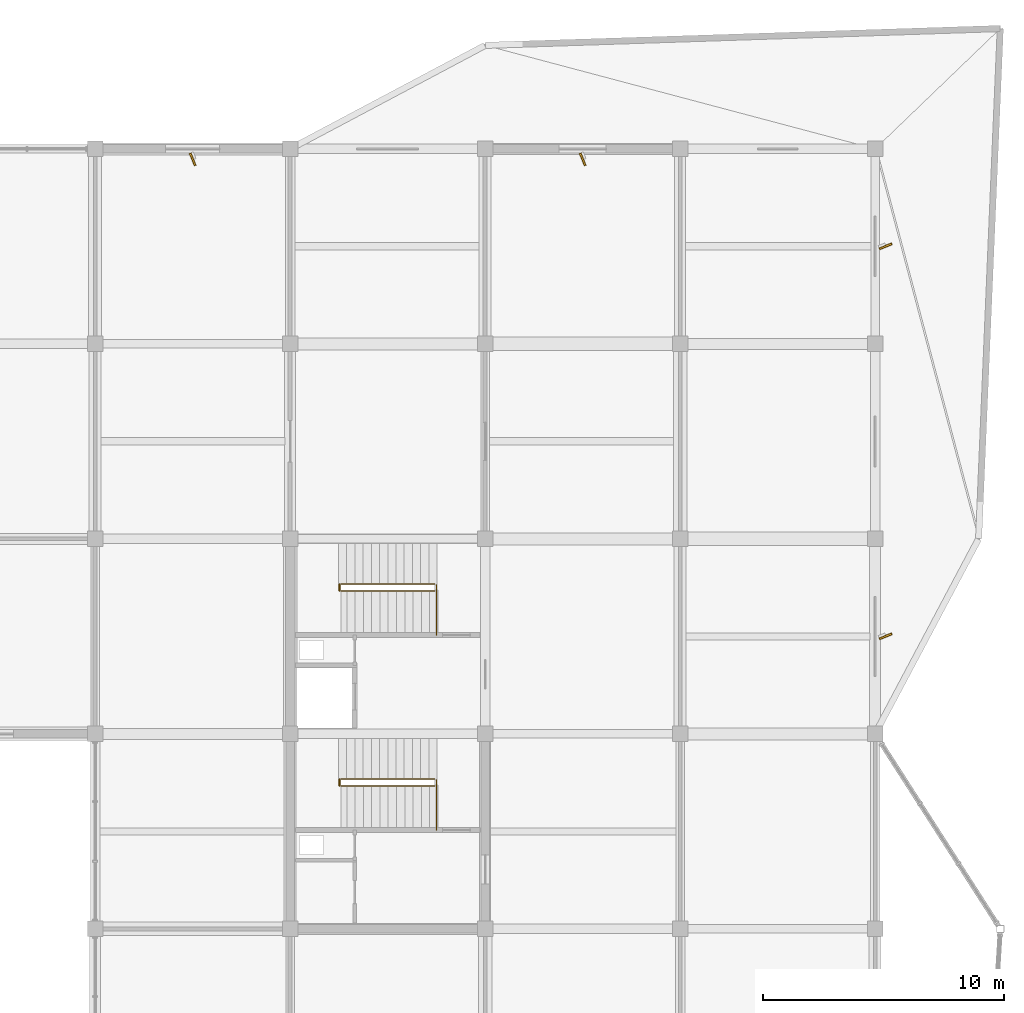
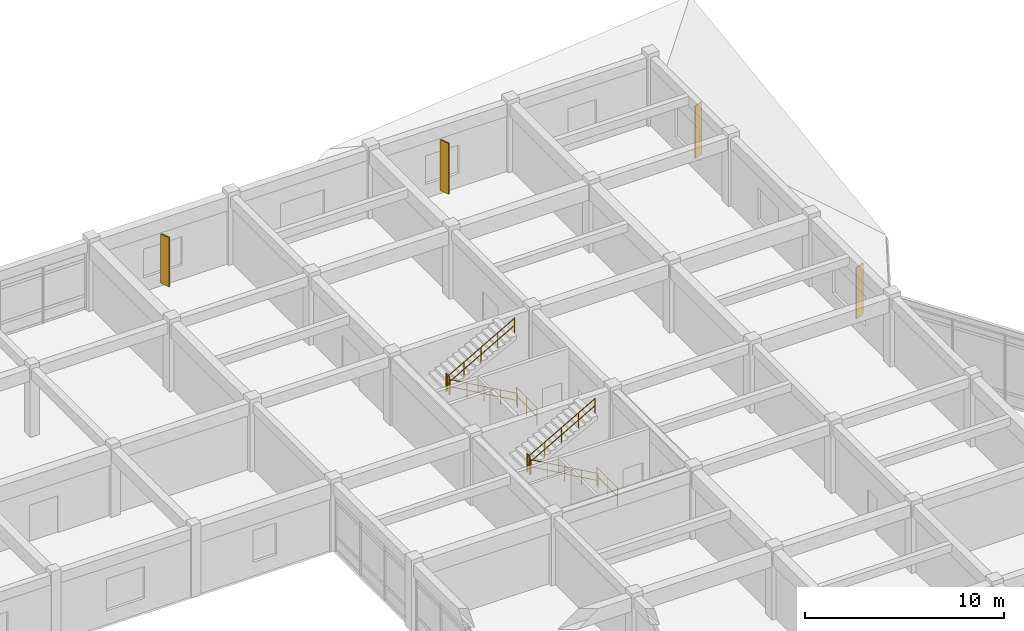
# One storey, part 40 of 40: 8 railings, 4 shading devices.
"""IFC4 building model written with IfcOpenShell, lengths in metres."""

import ifcopenshell
import ifcopenshell.guid

model = None  # the IFC model being written
_history = None  # IfcOwnerHistory: only IFC2X3 demands one
_inside = {}  # id of a spatial element -> (the spatial element, [elements in it])
_under = {}  # id of a project, library or spatial element -> (it, [spatial elements below it])
_declared = {}  # id of a project -> (the project, [libraries it declares])
_typed = {}  # id of a type object -> (the type object, [elements of that type])
_made_of = {}  # id of a material, layer set ... -> (it, [elements and type objects made of it])


def new_model(schema):
    """Start an empty IFC model of exactly this schema.

    Asked for "IFC4X3", IfcOpenShell would pick the latest addendum, in which some entities
    have other attributes; the version numbers below select the first issue.
    IFC2X3 requires an IfcOwnerHistory on every rooted entity: one is made here for all.
    """
    global model, _history
    if schema == "IFC4X3":
        model = ifcopenshell.file(schema_version=(4, 3, 0, 0))
    else:
        model = ifcopenshell.file(schema=schema)
    _inside.clear()
    _under.clear()
    _declared.clear()
    _typed.clear()
    _made_of.clear()
    _history = None
    if model.schema == "IFC2X3":
        org = make("IfcOrganization", Name="unknown")
        user = make(
            "IfcPersonAndOrganization",
            ThePerson=make("IfcPerson", FamilyName="unknown"),
            TheOrganization=org,
        )
        app = make(
            "IfcApplication",
            ApplicationDeveloper=org,
            Version="unknown",
            ApplicationFullName="unknown",
            ApplicationIdentifier="unknown",
        )
        _history = make(
            "IfcOwnerHistory",
            OwningUser=user,
            OwningApplication=app,
            ChangeAction="ADDED",
            CreationDate=0,
        )
    return model


def make(cls, **values):
    """One entity of the class cls with the attributes given. An attribute that is None is left unset."""
    return model.create_entity(
        cls, **{name: value for name, value in values.items() if value is not None}
    )


def rooted(cls, **values):
    """An entity with a GlobalId (a new one), such as an element, a storey or a relation."""
    return make(cls, GlobalId=ifcopenshell.guid.new(), OwnerHistory=_history, **values)


def si_unit(unit_type, name, prefix=None):
    """IfcSIUnit, for example si_unit("LENGTHUNIT", "METRE", prefix="MILLI")."""
    return make("IfcSIUnit", UnitType=unit_type, Prefix=prefix, Name=name)


def assignment(units):
    """IfcUnitAssignment: the units of a project."""
    return None if units is None else make("IfcUnitAssignment", Units=units)


def point(xyz):
    """IfcCartesianPoint."""
    return None if xyz is None else make("IfcCartesianPoint", Coordinates=xyz)


def direction(xyz):
    """IfcDirection."""
    return None if xyz is None else make("IfcDirection", DirectionRatios=xyz)


def frame(location, z_axis=None, x_axis=None):
    """IfcAxis2Placement3D, a coordinate frame: its origin and axes. An axis left out is left unset."""
    return make(
        "IfcAxis2Placement3D",
        Location=point(location),
        Axis=direction(z_axis),
        RefDirection=direction(x_axis),
    )


def frame_2d(location, x_axis=None):
    """IfcAxis2Placement2D, a coordinate frame in the plane: its origin and x axis."""
    return make(
        "IfcAxis2Placement2D", Location=point(location), RefDirection=direction(x_axis)
    )


def origin():
    """The frame at (0, 0, 0) with its axes left unset."""
    return frame((0.0, 0.0, 0.0))


def origin_2d():
    """The frame at (0, 0) in the plane with its x axis left unset."""
    return frame_2d((0.0, 0.0))


def place(relative_to, where):
    """IfcLocalPlacement: puts the frame where relative to a parent placement (None: the world)."""
    return make(
        "IfcLocalPlacement", PlacementRelTo=relative_to, RelativePlacement=where
    )


def context(
    kind, dimensions, precision=None, world=None, true_north=None, identifier=None
):
    """IfcGeometricRepresentationContext, for example the 3D "Model" context."""
    return make(
        "IfcGeometricRepresentationContext",
        ContextIdentifier=identifier,
        ContextType=kind,
        CoordinateSpaceDimension=dimensions,
        Precision=precision,
        WorldCoordinateSystem=world,
        TrueNorth=true_north,
    )


def subcontext(parent, identifier, kind, view, scale=None):
    """IfcGeometricRepresentationSubContext, for example "Body" below "Model"."""
    return make(
        "IfcGeometricRepresentationSubContext",
        ContextIdentifier=identifier,
        ContextType=kind,
        ParentContext=parent,
        TargetScale=scale,
        TargetView=view,
    )


def project(units=None, contexts=None):
    """IfcProject with its units and contexts."""
    return rooted(
        "IfcProject",
        Name="project",
        RepresentationContexts=contexts,
        UnitsInContext=assignment(units),
    )


def spatial(cls, under=None, at=None, **own):
    """A site, building, storey or space (cls), placed at a placement, below another one or the project."""
    s = rooted(cls, ObjectPlacement=at, **own)
    if under is not None:
        _under.setdefault(under.id(), (under, []))[1].append(s)
    return s


def profile(cls, at=None, kind="AREA", **sizes):
    """A parametric profile (cls). Its sizes go by their IFC names, for example OverallWidth=200.0."""
    return make(cls, ProfileType=kind, Position=at, **sizes)


def rectangle(**sizes):
    """IfcRectangleProfileDef."""
    return profile("IfcRectangleProfileDef", **sizes)


def circle(**sizes):
    """IfcCircleProfileDef."""
    return profile("IfcCircleProfileDef", **sizes)


def extrude(swept, where, along, depth):
    """IfcExtrudedAreaSolid: the profile swept, set in the frame where, extruded along a direction by depth."""
    return make(
        "IfcExtrudedAreaSolid",
        SweptArea=swept,
        Position=where,
        ExtrudedDirection=direction(along),
        Depth=depth,
    )


def shape(context_of_items, identifier, shape_type, items):
    """IfcShapeRepresentation: the items that make up one representation, for example the "Body"."""
    return make(
        "IfcShapeRepresentation",
        ContextOfItems=context_of_items,
        RepresentationIdentifier=identifier,
        RepresentationType=shape_type,
        Items=items,
    )


def material(Name=None, Category=None):
    """IfcMaterial."""
    return make("IfcMaterial", Name=Name, Category=Category)


def made_of(thing, what):
    """Note that an element or type object is made of a material, layer set ...; save() writes the relation."""
    if what is not None:
        _made_of.setdefault(what.id(), (what, []))[1].append(thing)
    return thing


def type_object(cls, material=None, **own):
    """A type object (cls), such as IfcWallType, which elements share."""
    return made_of(rooted(cls, **own), material)


def element(
    cls,
    number,
    at=None,
    inside=None,
    cuts=None,
    type_object=None,
    material=None,
    context=None,
    identifier="Body",
    shape_type=None,
    held_by="IfcProductDefinitionShape",
    body=None,
    shapes=None,
    **own,
):
    """One element of the class cls, such as IfcWall. Its Tag is "e" and its number.

    at: its placement. inside: the storey or other place that contains it. cuts: it is an
    opening in that element (IfcRelVoidsElement). A single representation is given by context,
    identifier, shape_type and body (its items); several are given by shapes. held_by: the class
    of the entity that holds the representations. save() writes the other relations.
    """
    e = rooted(cls, Tag="e%d" % number, ObjectPlacement=at, **own)
    if body is not None:
        shapes = [shape(context, identifier, shape_type, body)]
    if shapes is not None:
        e.Representation = make(held_by, Representations=shapes)
    if inside is not None:
        _inside.setdefault(inside.id(), (inside, []))[1].append(e)
    if cuts is not None:
        rooted(
            "IfcRelVoidsElement", RelatingBuildingElement=cuts, RelatedOpeningElement=e
        )
    if type_object is not None:
        _typed.setdefault(type_object.id(), (type_object, []))[1].append(e)
    return made_of(e, material)


def aggregate(whole, parts):
    """IfcRelAggregates: a whole, such as a stair, and the parts it consists of."""
    return rooted("IfcRelAggregates", RelatingObject=whole, RelatedObjects=parts)


def save(model, path):
    """Write the relations noted so far, then the file.

    IfcRelAggregates (storeys below a building ...), IfcRelContainedInSpatialStructure (elements
    in a storey), IfcRelDefinesByType, IfcRelAssociatesMaterial and IfcRelDeclares: one each for
    every whole, place, type object, material and project.
    """
    for whole, parts in _under.values():
        aggregate(whole, parts)
    for where, things in _inside.values():
        rooted(
            "IfcRelContainedInSpatialStructure",
            RelatedElements=things,
            RelatingStructure=where,
        )
    for kind, things in _typed.values():
        rooted("IfcRelDefinesByType", RelatedObjects=things, RelatingType=kind)
    for what, things in _made_of.values():
        rooted("IfcRelAssociatesMaterial", RelatedObjects=things, RelatingMaterial=what)
    for by, libraries in _declared.values():
        rooted("IfcRelDeclares", RelatingContext=by, RelatedDefinitions=libraries)
    model.write(path)


model = new_model("IFC4")

# Units and contexts
model_context = context("Model", 3, precision=1e-05, world=origin(), true_north=direction((0.0, 1.0)))
body_context = subcontext(model_context, "Body", "Model", "MODEL_VIEW")
ifc_project = project(units=[si_unit("LENGTHUNIT", "METRE"), si_unit("AREAUNIT", "SQUARE_METRE"), si_unit("VOLUMEUNIT", "CUBIC_METRE"), si_unit("PLANEANGLEUNIT", "RADIAN"), si_unit("MASSUNIT", "GRAM", prefix="KILO")], contexts=[model_context])

# Site, building, storey
site_placement = place(None, origin())
site = spatial("IfcSite", under=ifc_project, at=site_placement, CompositionType="ELEMENT")
building_placement = place(site_placement, origin())
building = spatial("IfcBuilding", under=site, at=building_placement, Name="Vaudrelin Polytechnic", CompositionType="ELEMENT")
storey_placement = place(building_placement, frame((0.0, 0.0, 22.949951171875)))
storey = spatial("IfcBuildingStorey", under=building, at=storey_placement, Name="L05", CompositionType="ELEMENT", Elevation=22.949951171875)

# Shading devices
ifc_material_1 = material(Name="Anodised perforated aluminium AA 5005", Category="aluminium")
shading_device_type = type_object("IfcShadingDeviceType", Name="ENV-SF-FIN1", PredefinedType="USERDEFINED", material=ifc_material_1)
shading_device_1_placement = place(storey_placement, frame((141.75, 121.06494140625, 0.2001953125), z_axis=(0.0, 0.0, 1.0), x_axis=(0.374606593416, -0.927183854567, 0.0)))
element("IfcShadingDevice", 1, at=shading_device_1_placement, inside=storey, type_object=shading_device_type, Name="Perforated solar fin SF-040", ObjectType="SOLAR FIN", PredefinedType="USERDEFINED", context=body_context, shape_type="SweptSolid", body=[
    extrude(rectangle(XDim=0.550048828125, YDim=0.080078125, at=origin_2d()), origin(), (0.0, 0.0, 1.0), 3.011962890625),
])
for number, where, z_axis, x_axis, name in (
    (2, (157.949951171875, 121.06494140625, 0.2001953125), (0.0, 0.0, 1.0), (0.374606593416, -0.927183854567, 0.0), "Perforated solar fin SF-041"),
    (3, (170.534912109375, 101.25, 0.2001953125), (0.0, 0.0, 1.0), (0.927183854567, 0.374606593416, 0.0), "Perforated solar fin SF-045"),
):
    element("IfcShadingDevice", number, at=place(storey_placement, frame(where, z_axis=z_axis, x_axis=x_axis)), inside=storey, type_object=shading_device_type, Name=name, ObjectType="SOLAR FIN", PredefinedType="USERDEFINED", context=body_context, shape_type="SweptSolid", body=[
        extrude(rectangle(XDim=0.550048828125, YDim=0.080078125, at=origin_2d()), origin(), (0.0, 0.0, 1.0), 3.112060546875),
    ])
shading_device_2_placement = place(storey_placement, frame((170.534912109375, 117.449951171875, 0.2001953125), z_axis=(0.0, 0.0, 1.0), x_axis=(0.927183854567, 0.374606593416, 0.0)))
element("IfcShadingDevice", 4, at=shading_device_2_placement, inside=storey, type_object=shading_device_type, Name="Perforated solar fin SF-046", ObjectType="SOLAR FIN", PredefinedType="USERDEFINED", context=body_context, shape_type="SweptSolid", body=[
    extrude(rectangle(XDim=0.550048828125, YDim=0.080078125, at=origin_2d()), origin(), (0.0, 0.0, 1.0), 3.199951171875),
])

# Railings
ifc_material_2 = material(Name="Brushed stainless steel AISI 304", Category="steel")
railing_type_1 = type_object("IfcRailingType", Name="RAL-GR-INT", PredefinedType="GUARDRAIL", material=ifc_material_2)
railing_1_placement = place(storey_placement, frame((151.8798828125, 101.31005859375, 0.0)))
element("IfcRailing", 5, at=railing_1_placement, inside=storey, type_object=railing_type_1, Name="ST-06-L04 upper well guardrail", PredefinedType="GUARDRAIL", context=body_context, shape_type="SweptSolid", body=[
    extrude(circle(Radius=0.02392578125, at=origin_2d()), frame((0.0, 0.023193359375, 1.09619140625), z_axis=(0.0, 1.0, 0.0), x_axis=(-1.0, 0.0, 0.0)), (0.0, 0.0, 1.0), 2.023681640625),
    extrude(circle(Radius=0.02392578125, at=origin_2d()), frame((0.0, 0.023193359375, 0.56005859375), z_axis=(0.0, 1.0, 0.0), x_axis=(-1.0, 0.0, 0.0)), (0.0, 0.0, 1.0), 2.023681640625),
    extrude(circle(Radius=0.02099609375, at=origin_2d()), origin(), (0.0, 0.0, 1.0), 1.1201171875),
    extrude(circle(Radius=0.02099609375, at=origin_2d()), frame((0.0, 1.034912109375, 0.0)), (0.0, 0.0, 1.0), 1.1201171875),
    extrude(circle(Radius=0.02099609375, at=origin_2d()), frame((0.0, 2.06982421875, 0.0)), (0.0, 0.0, 1.0), 1.1201171875),
])
railing_2_placement = place(storey_placement, frame((147.85009765625, 103.139892578125, 2.2099609375)))
element("IfcRailing", 6, at=railing_2_placement, inside=storey, type_object=railing_type_1, Name="ST-06-L05 landing well guardrail", PredefinedType="GUARDRAIL", context=body_context, shape_type="SweptSolid", body=[
    extrude(circle(Radius=0.02392578125, at=origin_2d()), frame((0.0, 0.023193359375, 1.09619140625), z_axis=(0.0, 1.0, 0.0), x_axis=(-1.0, 0.0, 0.0)), (0.0, 0.0, 1.0), 0.23388671875),
    extrude(circle(Radius=0.02392578125, at=origin_2d()), frame((0.0, 0.023193359375, 0.56005859375), z_axis=(0.0, 1.0, 0.0), x_axis=(-1.0, 0.0, 0.0)), (0.0, 0.0, 1.0), 0.23388671875),
    extrude(circle(Radius=0.02099609375, at=origin_2d()), origin(), (0.0, 0.0, 1.0), 1.1201171875),
    extrude(circle(Radius=0.02099609375, at=origin_2d()), frame((0.0, 0.280029296875, 0.0)), (0.0, 0.0, 1.0), 1.1201171875),
])
railing_3_placement = place(storey_placement, frame((151.8798828125, 93.2099609375, 0.0)))
element("IfcRailing", 7, at=railing_3_placement, inside=storey, type_object=railing_type_1, Name="ST-13-L04 upper well guardrail", PredefinedType="GUARDRAIL", context=body_context, shape_type="SweptSolid", body=[
    extrude(circle(Radius=0.02392578125, at=origin_2d()), frame((0.0, 0.023193359375, 1.09619140625), z_axis=(0.0, 1.0, 0.0), x_axis=(-1.0, 0.0, 0.0)), (0.0, 0.0, 1.0), 2.02392578125),
    extrude(circle(Radius=0.02392578125, at=origin_2d()), frame((0.0, 0.023193359375, 0.56005859375), z_axis=(0.0, 1.0, 0.0), x_axis=(-1.0, 0.0, 0.0)), (0.0, 0.0, 1.0), 2.02392578125),
    extrude(circle(Radius=0.02099609375, at=origin_2d()), origin(), (0.0, 0.0, 1.0), 1.1201171875),
    extrude(circle(Radius=0.02099609375, at=origin_2d()), frame((0.0, 1.03515625, 0.0)), (0.0, 0.0, 1.0), 1.1201171875),
    extrude(circle(Radius=0.02099609375, at=origin_2d()), frame((0.0, 2.070068359375, 0.0)), (0.0, 0.0, 1.0), 1.1201171875),
])
railing_4_placement = place(storey_placement, frame((147.85009765625, 95.0400390625, 2.2099609375)))
element("IfcRailing", 8, at=railing_4_placement, inside=storey, type_object=railing_type_1, Name="ST-13-L05 landing well guardrail", PredefinedType="GUARDRAIL", context=body_context, shape_type="SweptSolid", body=[
    extrude(circle(Radius=0.02392578125, at=origin_2d()), frame((0.0, 0.023193359375, 1.09619140625), z_axis=(0.0, 1.0, 0.0), x_axis=(-1.0, 0.0, 0.0)), (0.0, 0.0, 1.0), 0.23388671875),
    extrude(circle(Radius=0.02392578125, at=origin_2d()), frame((0.0, 0.023193359375, 0.56005859375), z_axis=(0.0, 1.0, 0.0), x_axis=(-1.0, 0.0, 0.0)), (0.0, 0.0, 1.0), 0.23388671875),
    extrude(circle(Radius=0.02099609375, at=origin_2d()), origin(), (0.0, 0.0, 1.0), 1.1201171875),
    extrude(circle(Radius=0.02099609375, at=origin_2d()), frame((0.0, 0.280029296875, 0.0)), (0.0, 0.0, 1.0), 1.1201171875),
])
railing_type_2 = type_object("IfcRailingType", Name="RAL-HR-STR", PredefinedType="HANDRAIL", material=ifc_material_2)
railing_5_placement = place(storey_placement, frame((151.800048828125, 103.1298828125, 0.0)))
element("IfcRailing", 9, at=railing_5_placement, inside=storey, type_object=railing_type_2, Name="ST-06-L05 flight 1 handrail", PredefinedType="HANDRAIL", context=body_context, shape_type="SweptSolid", body=[
    extrude(circle(Radius=0.02392578125, at=origin_2d()), frame((-0.02001953125, 0.0, 0.9072265625), z_axis=(-0.869489581884, 0.0, 0.493951279981), x_axis=(0.0, -1.0, 0.0)), (0.0, 0.0, 1.0), 4.427734375),
    extrude(circle(Radius=0.02392578125, at=origin_2d()), frame((-0.02001953125, 0.0, 0.471435546875), z_axis=(-0.869489581884, 0.0, 0.493951279981), x_axis=(0.0, -1.0, 0.0)), (0.0, 0.0, 1.0), 4.427734375),
    extrude(circle(Radius=0.02099609375, at=origin_2d()), origin(), (0.0, 0.0, 1.0), 0.919921875),
    extrude(circle(Radius=0.02099609375, at=origin_2d()), frame((-0.97265625, 0.0, 0.552490234375)), (0.0, 0.0, 1.0), 0.919921875),
    extrude(circle(Radius=0.02099609375, at=origin_2d()), frame((-1.945068359375, 0.0, 1.10498046875)), (0.0, 0.0, 1.0), 0.919921875),
    extrude(circle(Radius=0.02099609375, at=origin_2d()), frame((-2.91748046875, 0.0, 1.657470703125)), (0.0, 0.0, 1.0), 0.919921875),
    extrude(circle(Radius=0.02099609375, at=origin_2d()), frame((-3.89013671875, 0.0, 2.2099609375)), (0.0, 0.0, 1.0), 0.919921875),
])
railing_6_placement = place(storey_placement, frame((147.909912109375, 103.429931640625, 2.2099609375)))
element("IfcRailing", 10, at=railing_6_placement, inside=storey, type_object=railing_type_2, Name="ST-06-L05 flight 2 handrail", PredefinedType="HANDRAIL", context=body_context, shape_type="SweptSolid", body=[
    extrude(circle(Radius=0.02392578125, at=origin_2d()), frame((0.02001953125, 0.0, 0.9072265625), z_axis=(0.86946614529, 0.0, 0.493992532529), x_axis=(0.0, 1.0, 0.0)), (0.0, 0.0, 1.0), 4.427978515625),
    extrude(circle(Radius=0.02392578125, at=origin_2d()), frame((0.02001953125, 0.0, 0.471435546875), z_axis=(0.86946614529, 0.0, 0.493992532529), x_axis=(0.0, 1.0, 0.0)), (0.0, 0.0, 1.0), 4.427978515625),
    extrude(circle(Radius=0.02099609375, at=origin_2d()), origin(), (0.0, 0.0, 1.0), 0.919921875),
    extrude(circle(Radius=0.02099609375, at=origin_2d()), frame((0.97265625, 0.0, 0.552490234375)), (0.0, 0.0, 1.0), 0.919921875),
    extrude(circle(Radius=0.02099609375, at=origin_2d()), frame((1.945068359375, 0.0, 1.10498046875)), (0.0, 0.0, 1.0), 0.919921875),
    extrude(circle(Radius=0.02099609375, at=origin_2d()), frame((2.91748046875, 0.0, 1.65771484375)), (0.0, 0.0, 1.0), 0.919921875),
    extrude(circle(Radius=0.02099609375, at=origin_2d()), frame((3.89013671875, 0.0, 2.210205078125)), (0.0, 0.0, 1.0), 0.919921875),
])
railing_7_placement = place(storey_placement, frame((151.800048828125, 95.030029296875, 0.0)))
element("IfcRailing", 11, at=railing_7_placement, inside=storey, type_object=railing_type_2, Name="ST-13-L05 flight 1 handrail", PredefinedType="HANDRAIL", context=body_context, shape_type="SweptSolid", body=[
    extrude(circle(Radius=0.02392578125, at=origin_2d()), frame((-0.02001953125, 0.0, 0.9072265625), z_axis=(-0.869489581884, 0.0, 0.493951279981), x_axis=(0.0, -1.0, 0.0)), (0.0, 0.0, 1.0), 4.427734375),
    extrude(circle(Radius=0.02392578125, at=origin_2d()), frame((-0.02001953125, 0.0, 0.471435546875), z_axis=(-0.869489581884, 0.0, 0.493951279981), x_axis=(0.0, -1.0, 0.0)), (0.0, 0.0, 1.0), 4.427734375),
    extrude(circle(Radius=0.02099609375, at=origin_2d()), origin(), (0.0, 0.0, 1.0), 0.919921875),
    extrude(circle(Radius=0.02099609375, at=origin_2d()), frame((-0.97265625, 0.0, 0.552490234375)), (0.0, 0.0, 1.0), 0.919921875),
    extrude(circle(Radius=0.02099609375, at=origin_2d()), frame((-1.945068359375, 0.0, 1.10498046875)), (0.0, 0.0, 1.0), 0.919921875),
    extrude(circle(Radius=0.02099609375, at=origin_2d()), frame((-2.91748046875, 0.0, 1.657470703125)), (0.0, 0.0, 1.0), 0.919921875),
    extrude(circle(Radius=0.02099609375, at=origin_2d()), frame((-3.89013671875, 0.0, 2.2099609375)), (0.0, 0.0, 1.0), 0.919921875),
])
railing_8_placement = place(storey_placement, frame((147.909912109375, 95.330078125, 2.2099609375)))
element("IfcRailing", 12, at=railing_8_placement, inside=storey, type_object=railing_type_2, Name="ST-13-L05 flight 2 handrail", PredefinedType="HANDRAIL", context=body_context, shape_type="SweptSolid", body=[
    extrude(circle(Radius=0.02392578125, at=origin_2d()), frame((0.02001953125, 0.0, 0.9072265625), z_axis=(0.86946614529, 0.0, 0.493992532529), x_axis=(0.0, 1.0, 0.0)), (0.0, 0.0, 1.0), 4.427978515625),
    extrude(circle(Radius=0.02392578125, at=origin_2d()), frame((0.02001953125, 0.0, 0.471435546875), z_axis=(0.86946614529, 0.0, 0.493992532529), x_axis=(0.0, 1.0, 0.0)), (0.0, 0.0, 1.0), 4.427978515625),
    extrude(circle(Radius=0.02099609375, at=origin_2d()), origin(), (0.0, 0.0, 1.0), 0.919921875),
    extrude(circle(Radius=0.02099609375, at=origin_2d()), frame((0.97265625, 0.0, 0.552490234375)), (0.0, 0.0, 1.0), 0.919921875),
    extrude(circle(Radius=0.02099609375, at=origin_2d()), frame((1.945068359375, 0.0, 1.10498046875)), (0.0, 0.0, 1.0), 0.919921875),
    extrude(circle(Radius=0.02099609375, at=origin_2d()), frame((2.91748046875, 0.0, 1.65771484375)), (0.0, 0.0, 1.0), 0.919921875),
    extrude(circle(Radius=0.02099609375, at=origin_2d()), frame((3.89013671875, 0.0, 2.210205078125)), (0.0, 0.0, 1.0), 0.919921875),
])

save(model, "model.ifc")
